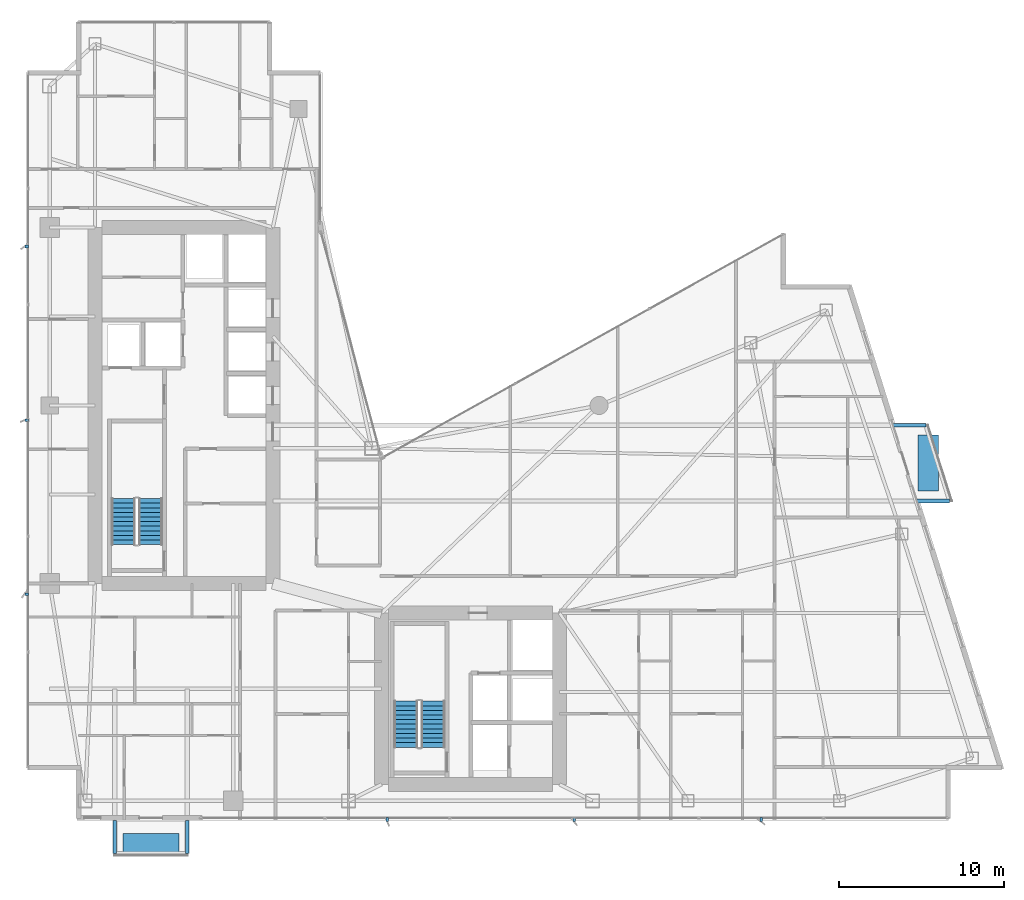
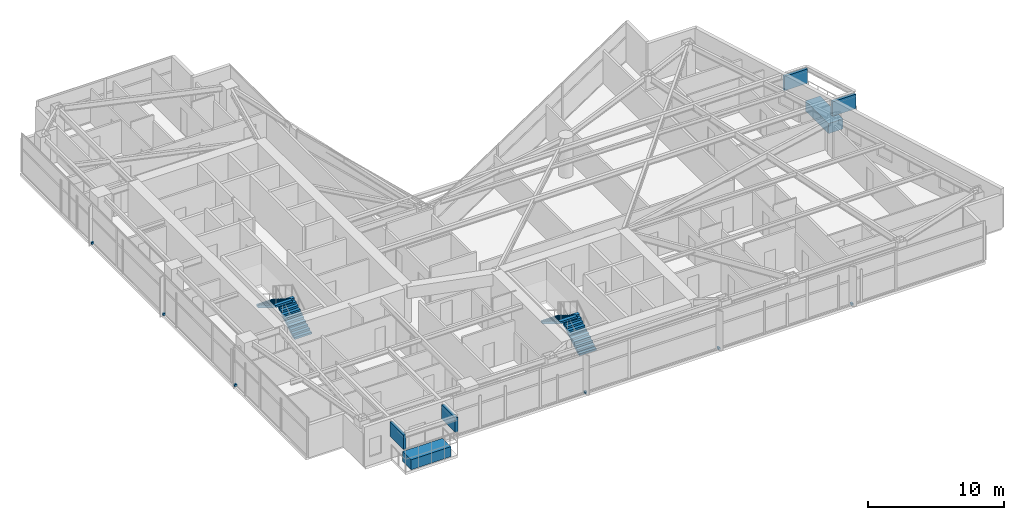
# One storey, part 26 of 28: 12 discrete accessories, 4 stair flights, 2 elements without a shape of their own.
"""IFC4 building model written with IfcOpenShell, lengths in metres."""

from ifc_helpers import new_model, si_unit, direction, frame, origin, origin_2d, place, context, subcontext, project, spatial, polyline, rectangle, outline, extrude, material, type_object, element, aggregate, save


model = new_model("IFC4")

# Units and contexts
model_context = context("Model", 3, precision=1e-05, world=origin(), true_north=direction((0.0, 1.0)))
body_context = subcontext(model_context, "Body", "Model", "MODEL_VIEW")
ifc_project = project(units=[si_unit("LENGTHUNIT", "METRE"), si_unit("AREAUNIT", "SQUARE_METRE"), si_unit("VOLUMEUNIT", "CUBIC_METRE"), si_unit("PLANEANGLEUNIT", "RADIAN"), si_unit("MASSUNIT", "GRAM", prefix="KILO")], contexts=[model_context])

# Site, building, storey
site_placement = place(None, origin())
site = spatial("IfcSite", under=ifc_project, at=site_placement, CompositionType="ELEMENT")
building_placement = place(site_placement, origin())
building = spatial("IfcBuilding", under=site, at=building_placement, Name="Calvorn Quay Hotel", CompositionType="ELEMENT")
storey_placement = place(building_placement, frame((0.0, 0.0, 159.89990234375)))
storey = spatial("IfcBuildingStorey", under=building, at=storey_placement, Name="L39", CompositionType="ELEMENT", Elevation=159.89990234375)

# Stair, stair flights
ifc_material_1 = material(Name="Concrete C40", Category="concrete")
stair_type = type_object("IfcStairType", Name="STR-CORE-DOGLEG", PredefinedType="HALF_TURN_STAIR", material=ifc_material_1)
stair_1_placement = place(storey_placement, origin())
stair_1 = element("IfcStair", 1, at=stair_1_placement, inside=storey, type_object=stair_type, Name="L39 ST-W", PredefinedType="HALF_TURN_STAIR")
ifc_material_2 = material(Name="Concrete C40", Category="concrete")
stair_flight_type = type_object("IfcStairFlightType", Name="FLT-CORE-1550", PredefinedType="STRAIGHT", material=ifc_material_2)
stair_flight_1_placement = place(storey_placement, frame((7.574951171875, 19.14990234375, 0.0), z_axis=(0.0, 0.0, 1.0), x_axis=(0.0, 1.0, 0.0)))
stair_flight_1 = element("IfcStairFlight", 2, at=stair_flight_1_placement, type_object=stair_flight_type, Name="ST-W flight 1", NumberOfRisers=11, NumberOfTreads=10, PredefinedType="STRAIGHT", RiserHeight=0.172727273, TreadLength=0.28, context=body_context, shape_type="SweptSolid", body=[
    extrude(outline(polyline([(0.0, 0.0), (0.0, 0.172607421875), (0.280029296875, 0.172607421875), (0.280029296875, 0.345458984375), (0.56005859375, 0.345458984375), (0.56005859375, 0.51806640625), (0.840087890625, 0.51806640625), (0.840087890625, 0.69091796875), (1.1201171875, 0.69091796875), (1.1201171875, 0.863525390625), (1.39990234375, 0.863525390625), (1.39990234375, 1.036376953125), (1.679931640625, 1.036376953125), (1.679931640625, 1.208984375), (1.9599609375, 1.208984375), (1.9599609375, 1.3818359375), (2.239990234375, 1.3818359375), (2.239990234375, 1.554443359375), (2.52001953125, 1.554443359375), (2.52001953125, 1.727294921875), (2.800048828125, 1.727294921875), (2.800048828125, 1.89990234375), (2.800048828125, 1.551025390625), (0.285400390625, 0.0), (0.0, 0.0)])), frame((0.0, 0.72509765625, 0.0), z_axis=(0.0, -1.0, 0.0), x_axis=(1.0, 0.0, 0.0)), (0.0, 0.0, 1.0), 1.449951171875),
])
stair_flight_2_placement = place(storey_placement, frame((5.925048828125, 21.949951171875, 1.900146484375), z_axis=(0.0, 0.0, 1.0), x_axis=(0.0, -1.0, 0.0)))
stair_flight_2 = element("IfcStairFlight", 3, at=stair_flight_2_placement, type_object=stair_flight_type, Name="ST-W flight 2", NumberOfRisers=11, NumberOfTreads=10, PredefinedType="STRAIGHT", RiserHeight=0.172727273, TreadLength=0.28, context=body_context, shape_type="SweptSolid", body=[
    extrude(outline(polyline([(0.0, 0.0), (0.0, 0.172607421875), (0.280029296875, 0.172607421875), (0.280029296875, 0.345458984375), (0.56005859375, 0.345458984375), (0.56005859375, 0.51806640625), (0.840087890625, 0.51806640625), (0.840087890625, 0.69091796875), (1.1201171875, 0.69091796875), (1.1201171875, 0.863525390625), (1.39990234375, 0.863525390625), (1.39990234375, 1.036376953125), (1.679931640625, 1.036376953125), (1.679931640625, 1.208984375), (1.9599609375, 1.208984375), (1.9599609375, 1.3818359375), (2.239990234375, 1.3818359375), (2.239990234375, 1.554443359375), (2.52001953125, 1.554443359375), (2.52001953125, 1.727294921875), (2.800048828125, 1.727294921875), (2.800048828125, 1.89990234375), (2.800048828125, 1.551025390625), (0.285400390625, 0.0), (0.0, 0.0)])), frame((0.0, 0.72509765625, 0.0), z_axis=(0.0, -1.0, 0.0), x_axis=(1.0, 0.0, 0.0)), (0.0, 0.0, 1.0), 1.449951171875),
])
aggregate(stair_1, [stair_flight_1, stair_flight_2])

stair_2_placement = place(storey_placement, origin())
stair_2 = element("IfcStair", 4, at=stair_2_placement, inside=storey, type_object=stair_type, Name="L39 ST-E", PredefinedType="HALF_TURN_STAIR")
stair_flight_3_placement = place(storey_placement, frame((24.72509765625, 6.85009765625, 0.0), z_axis=(0.0, 0.0, 1.0), x_axis=(0.0, 1.0, 0.0)))
stair_flight_3 = element("IfcStairFlight", 5, at=stair_flight_3_placement, type_object=stair_flight_type, Name="ST-E flight 1", NumberOfRisers=11, NumberOfTreads=10, PredefinedType="STRAIGHT", RiserHeight=0.172727273, TreadLength=0.28, context=body_context, shape_type="SweptSolid", body=[
    extrude(outline(polyline([(0.0, 0.0), (0.0, 0.172607421875), (0.280029296875, 0.172607421875), (0.280029296875, 0.345458984375), (0.56005859375, 0.345458984375), (0.56005859375, 0.51806640625), (0.840087890625, 0.51806640625), (0.840087890625, 0.69091796875), (1.1201171875, 0.69091796875), (1.1201171875, 0.863525390625), (1.39990234375, 0.863525390625), (1.39990234375, 1.036376953125), (1.679931640625, 1.036376953125), (1.679931640625, 1.208984375), (1.9599609375, 1.208984375), (1.9599609375, 1.3818359375), (2.239990234375, 1.3818359375), (2.239990234375, 1.554443359375), (2.52001953125, 1.554443359375), (2.52001953125, 1.727294921875), (2.800048828125, 1.727294921875), (2.800048828125, 1.89990234375), (2.800048828125, 1.551025390625), (0.285400390625, 0.0), (0.0, 0.0)])), frame((0.0, 0.72509765625, 0.0), z_axis=(0.0, -1.0, 0.0), x_axis=(1.0, 0.0, 0.0)), (0.0, 0.0, 1.0), 1.449951171875),
])
stair_flight_4_placement = place(storey_placement, frame((23.074951171875, 9.64990234375, 1.900146484375), z_axis=(0.0, 0.0, 1.0), x_axis=(0.0, -1.0, 0.0)))
stair_flight_4 = element("IfcStairFlight", 6, at=stair_flight_4_placement, type_object=stair_flight_type, Name="ST-E flight 2", NumberOfRisers=11, NumberOfTreads=10, PredefinedType="STRAIGHT", RiserHeight=0.172727273, TreadLength=0.28, context=body_context, shape_type="SweptSolid", body=[
    extrude(outline(polyline([(0.0, 0.0), (0.0, 0.172607421875), (0.280029296875, 0.172607421875), (0.280029296875, 0.345458984375), (0.56005859375, 0.345458984375), (0.56005859375, 0.51806640625), (0.840087890625, 0.51806640625), (0.840087890625, 0.69091796875), (1.1201171875, 0.69091796875), (1.1201171875, 0.863525390625), (1.39990234375, 0.863525390625), (1.39990234375, 1.036376953125), (1.679931640625, 1.036376953125), (1.679931640625, 1.208984375), (1.9599609375, 1.208984375), (1.9599609375, 1.3818359375), (2.239990234375, 1.3818359375), (2.239990234375, 1.554443359375), (2.52001953125, 1.554443359375), (2.52001953125, 1.727294921875), (2.800048828125, 1.727294921875), (2.800048828125, 1.89990234375), (2.800048828125, 1.551025390625), (0.285400390625, 0.0), (0.0, 0.0)])), frame((0.0, 0.72509765625, 0.0), z_axis=(0.0, -1.0, 0.0), x_axis=(1.0, 0.0, 0.0)), (0.0, 0.0, 1.0), 1.449951171875),
])
aggregate(stair_2, [stair_flight_3, stair_flight_4])

# Discrete accessories
ifc_material_3 = material(Name="Steel Q355B", Category="steel")
discrete_accessory_type_1 = type_object("IfcDiscreteAccessoryType", Name="ACC-BALC-STRUT", PredefinedType="BRACKET", material=ifc_material_3)
for number, where, z_axis, x_axis, name in (
    (7, (55.091064453125, 21.800048828125, 2.01513671875), (0.0, 0.0, 1.0), (1.0, 0.0, 0.0), "Exterior Balcony Steel Bracket L40-BALC-E-A"),
    (8, (53.64208984375, 26.39990234375, 2.01513671875), (0.0, 0.0, 1.0), (1.0, 0.0, 0.0), "Exterior Balcony Steel Bracket L40-BALC-E-B"),
):
    element("IfcDiscreteAccessory", number, at=place(storey_placement, frame(where, z_axis=z_axis, x_axis=x_axis)), inside=storey, type_object=discrete_accessory_type_1, Name=name, PredefinedType="BRACKET", context=body_context, shape_type="SweptSolid", body=[
        extrude(rectangle(XDim=1.989990234375, YDim=0.219970703125, at=origin_2d()), origin(), (0.0, 0.0, 1.0), 1.300048828125),
    ])
for number, where, z_axis, x_axis, name in (
    (9, (5.39990234375, 1.405029296875, 2.01513671875), (0.0, 0.0, 1.0), (1.0, 0.0, 0.0), "Exterior Balcony Steel Bracket L40-BALC-S-A"),
    (10, (9.800048828125, 1.405029296875, 2.01513671875), (0.0, 0.0, 1.0), (1.0, 0.0, 0.0), "Exterior Balcony Steel Bracket L40-BALC-S-B"),
):
    element("IfcDiscreteAccessory", number, at=place(storey_placement, frame(where, z_axis=z_axis, x_axis=x_axis)), inside=storey, type_object=discrete_accessory_type_1, Name=name, PredefinedType="BRACKET", context=body_context, shape_type="SweptSolid", body=[
        extrude(rectangle(XDim=0.219970703125, YDim=1.989990234375, at=origin_2d()), origin(), (0.0, 0.0, 1.0), 1.300048828125),
    ])
ifc_material_4 = material(Name="Steel Q355B", Category="steel")
discrete_accessory_type_2 = type_object("IfcDiscreteAccessoryType", Name="ACC-FIN-BRACKET", PredefinedType="BRACKET", material=ifc_material_4)
for number, where, z_axis, x_axis, name in (
    (11, (0.06005859375, 16.14990234375, 0.0302734375), (0.0, 0.0, 1.0), (1.0, 0.0, 0.0), "Fin Anchor Bracket L39-W01"),
    (12, (0.06005859375, 26.699951171875, 0.0302734375), (0.0, 0.0, 1.0), (1.0, 0.0, 0.0), "Fin Anchor Bracket L39-W02"),
    (13, (0.06005859375, 37.25, 0.0302734375), (0.0, 0.0, 1.0), (1.0, 0.0, 0.0), "Fin Anchor Bracket L39-W03"),
    (14, (21.949951171875, 2.4599609375, 0.0302734375), (0.0, 0.0, 1.0), (0.0, 1.0, 0.0), "Fin Anchor Bracket L39-S01"),
    (15, (33.300048828125, 2.4599609375, 0.0302734375), (0.0, 0.0, 1.0), (0.0, 1.0, 0.0), "Fin Anchor Bracket L39-S02"),
    (16, (44.64990234375, 2.4599609375, 0.0302734375), (0.0, 0.0, 1.0), (0.0, 1.0, 0.0), "Fin Anchor Bracket L39-S03"),
):
    element("IfcDiscreteAccessory", number, at=place(storey_placement, frame(where, z_axis=z_axis, x_axis=x_axis)), inside=storey, type_object=discrete_accessory_type_2, Name=name, PredefinedType="BRACKET", context=body_context, shape_type="SweptSolid", body=[
        extrude(rectangle(XDim=0.239990234375, YDim=0.159912109375, at=origin_2d()), origin(), (0.0, 0.0, 1.0), 0.179931640625),
    ])
ifc_material_5 = material(Name="Precast concrete C40", Category="concrete")
discrete_accessory_type_3 = type_object("IfcDiscreteAccessoryType", Name="ACC-TREE-PLANTER", PredefinedType="USERDEFINED", material=ifc_material_5)
discrete_accessory_1_placement = place(storey_placement, frame((54.781982421875, 24.10009765625, 0.000244140625), z_axis=(0.0, 0.0, 1.0), x_axis=(1.0, 0.0, 0.0)))
element("IfcDiscreteAccessory", 17, at=discrete_accessory_1_placement, inside=storey, type_object=discrete_accessory_type_3, Name="Subtropical Tree Structural Planter L39-BALC-E", ObjectType="PLANTER", PredefinedType="USERDEFINED", context=body_context, shape_type="SweptSolid", body=[
    extrude(rectangle(XDim=1.25, YDim=3.39990234375, at=origin_2d()), origin(), (0.0, 0.0, 1.0), 0.89990234375),
])
discrete_accessory_2_placement = place(storey_placement, frame((7.60009765625, 0.989990234375, 0.000244140625), z_axis=(0.0, 0.0, 1.0), x_axis=(1.0, 0.0, 0.0)))
element("IfcDiscreteAccessory", 18, at=discrete_accessory_2_placement, inside=storey, type_object=discrete_accessory_type_3, Name="Subtropical Tree Structural Planter L39-BALC-S", ObjectType="PLANTER", PredefinedType="USERDEFINED", context=body_context, shape_type="SweptSolid", body=[
    extrude(rectangle(XDim=3.39990234375, YDim=1.25, at=origin_2d()), origin(), (0.0, 0.0, 1.0), 0.89990234375),
])

save(model, "model.ifc")
